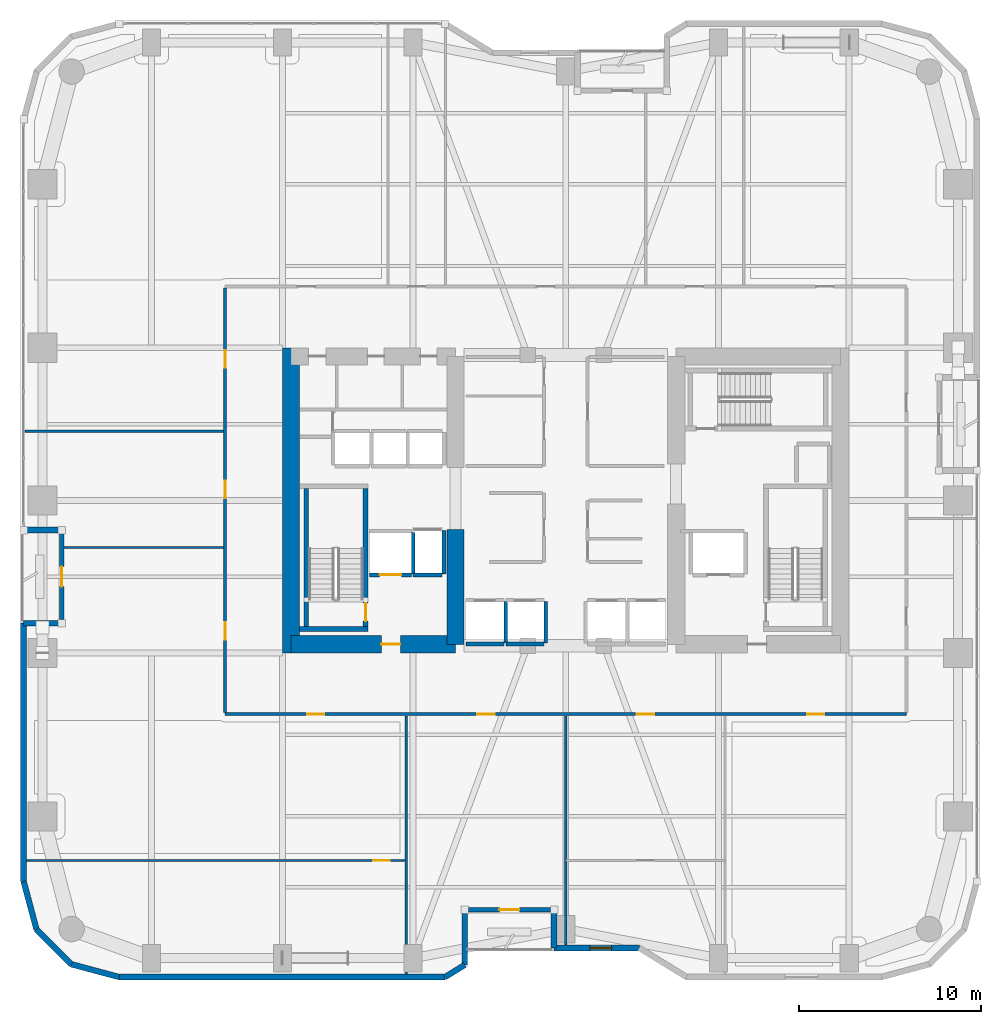
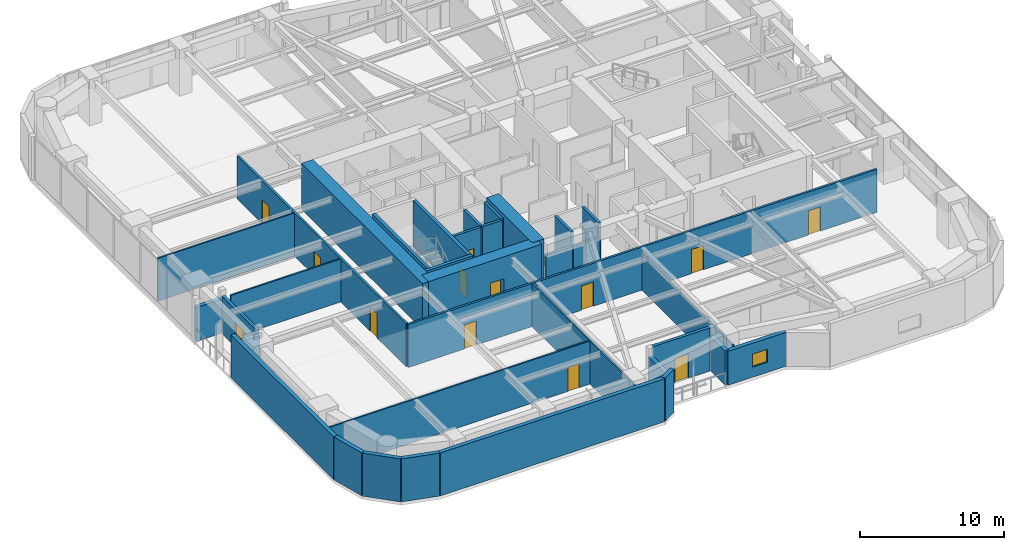
# One storey, part 18 of 24: 34 walls, 13 doors, 1 window, 14 openings.
"""IFC4 building model written with IfcOpenShell, lengths in metres."""

import ifcopenshell
import ifcopenshell.guid

model = None  # the IFC model being written
_history = None  # IfcOwnerHistory: only IFC2X3 demands one
_inside = {}  # id of a spatial element -> (the spatial element, [elements in it])
_under = {}  # id of a project, library or spatial element -> (it, [spatial elements below it])
_declared = {}  # id of a project -> (the project, [libraries it declares])
_typed = {}  # id of a type object -> (the type object, [elements of that type])
_made_of = {}  # id of a material, layer set ... -> (it, [elements and type objects made of it])


def new_model(schema):
    """Start an empty IFC model of exactly this schema.

    Asked for "IFC4X3", IfcOpenShell would pick the latest addendum, in which some entities
    have other attributes; the version numbers below select the first issue.
    IFC2X3 requires an IfcOwnerHistory on every rooted entity: one is made here for all.
    """
    global model, _history
    if schema == "IFC4X3":
        model = ifcopenshell.file(schema_version=(4, 3, 0, 0))
    else:
        model = ifcopenshell.file(schema=schema)
    _inside.clear()
    _under.clear()
    _declared.clear()
    _typed.clear()
    _made_of.clear()
    _history = None
    if model.schema == "IFC2X3":
        org = make("IfcOrganization", Name="unknown")
        user = make(
            "IfcPersonAndOrganization",
            ThePerson=make("IfcPerson", FamilyName="unknown"),
            TheOrganization=org,
        )
        app = make(
            "IfcApplication",
            ApplicationDeveloper=org,
            Version="unknown",
            ApplicationFullName="unknown",
            ApplicationIdentifier="unknown",
        )
        _history = make(
            "IfcOwnerHistory",
            OwningUser=user,
            OwningApplication=app,
            ChangeAction="ADDED",
            CreationDate=0,
        )
    return model


def make(cls, **values):
    """One entity of the class cls with the attributes given. An attribute that is None is left unset."""
    return model.create_entity(
        cls, **{name: value for name, value in values.items() if value is not None}
    )


def rooted(cls, **values):
    """An entity with a GlobalId (a new one), such as an element, a storey or a relation."""
    return make(cls, GlobalId=ifcopenshell.guid.new(), OwnerHistory=_history, **values)


def si_unit(unit_type, name, prefix=None):
    """IfcSIUnit, for example si_unit("LENGTHUNIT", "METRE", prefix="MILLI")."""
    return make("IfcSIUnit", UnitType=unit_type, Prefix=prefix, Name=name)


def assignment(units):
    """IfcUnitAssignment: the units of a project."""
    return None if units is None else make("IfcUnitAssignment", Units=units)


def point(xyz):
    """IfcCartesianPoint."""
    return None if xyz is None else make("IfcCartesianPoint", Coordinates=xyz)


def direction(xyz):
    """IfcDirection."""
    return None if xyz is None else make("IfcDirection", DirectionRatios=xyz)


def frame(location, z_axis=None, x_axis=None):
    """IfcAxis2Placement3D, a coordinate frame: its origin and axes. An axis left out is left unset."""
    return make(
        "IfcAxis2Placement3D",
        Location=point(location),
        Axis=direction(z_axis),
        RefDirection=direction(x_axis),
    )


def frame_2d(location, x_axis=None):
    """IfcAxis2Placement2D, a coordinate frame in the plane: its origin and x axis."""
    return make(
        "IfcAxis2Placement2D", Location=point(location), RefDirection=direction(x_axis)
    )


def origin():
    """The frame at (0, 0, 0) with its axes left unset."""
    return frame((0.0, 0.0, 0.0))


def place(relative_to, where):
    """IfcLocalPlacement: puts the frame where relative to a parent placement (None: the world)."""
    return make(
        "IfcLocalPlacement", PlacementRelTo=relative_to, RelativePlacement=where
    )


def context(
    kind, dimensions, precision=None, world=None, true_north=None, identifier=None
):
    """IfcGeometricRepresentationContext, for example the 3D "Model" context."""
    return make(
        "IfcGeometricRepresentationContext",
        ContextIdentifier=identifier,
        ContextType=kind,
        CoordinateSpaceDimension=dimensions,
        Precision=precision,
        WorldCoordinateSystem=world,
        TrueNorth=true_north,
    )


def subcontext(parent, identifier, kind, view, scale=None):
    """IfcGeometricRepresentationSubContext, for example "Body" below "Model"."""
    return make(
        "IfcGeometricRepresentationSubContext",
        ContextIdentifier=identifier,
        ContextType=kind,
        ParentContext=parent,
        TargetScale=scale,
        TargetView=view,
    )


def project(units=None, contexts=None):
    """IfcProject with its units and contexts."""
    return rooted(
        "IfcProject",
        Name="project",
        RepresentationContexts=contexts,
        UnitsInContext=assignment(units),
    )


def spatial(cls, under=None, at=None, **own):
    """A site, building, storey or space (cls), placed at a placement, below another one or the project."""
    s = rooted(cls, ObjectPlacement=at, **own)
    if under is not None:
        _under.setdefault(under.id(), (under, []))[1].append(s)
    return s


def profile(cls, at=None, kind="AREA", **sizes):
    """A parametric profile (cls). Its sizes go by their IFC names, for example OverallWidth=200.0."""
    return make(cls, ProfileType=kind, Position=at, **sizes)


def rectangle(**sizes):
    """IfcRectangleProfileDef."""
    return profile("IfcRectangleProfileDef", **sizes)


def extrude(swept, where, along, depth):
    """IfcExtrudedAreaSolid: the profile swept, set in the frame where, extruded along a direction by depth."""
    return make(
        "IfcExtrudedAreaSolid",
        SweptArea=swept,
        Position=where,
        ExtrudedDirection=direction(along),
        Depth=depth,
    )


def shape(context_of_items, identifier, shape_type, items):
    """IfcShapeRepresentation: the items that make up one representation, for example the "Body"."""
    return make(
        "IfcShapeRepresentation",
        ContextOfItems=context_of_items,
        RepresentationIdentifier=identifier,
        RepresentationType=shape_type,
        Items=items,
    )


def material(Name=None, Category=None):
    """IfcMaterial."""
    return make("IfcMaterial", Name=Name, Category=Category)


def layer(
    of_material, thickness, ventilated=None, Name=None, Category=None, Priority=None
):
    """IfcMaterialLayer: one layer of a wall or slab, of a material (None: an air gap)."""
    return make(
        "IfcMaterialLayer",
        Material=of_material,
        LayerThickness=thickness,
        IsVentilated=ventilated,
        Name=Name,
        Category=Category,
        Priority=Priority,
    )


def layer_set(layers, Name=None):
    """IfcMaterialLayerSet."""
    return make("IfcMaterialLayerSet", MaterialLayers=layers, LayerSetName=Name)


def made_of(thing, what):
    """Note that an element or type object is made of a material, layer set ...; save() writes the relation."""
    if what is not None:
        _made_of.setdefault(what.id(), (what, []))[1].append(thing)
    return thing


def type_object(cls, material=None, **own):
    """A type object (cls), such as IfcWallType, which elements share."""
    return made_of(rooted(cls, **own), material)


def element(
    cls,
    number,
    at=None,
    inside=None,
    cuts=None,
    type_object=None,
    material=None,
    context=None,
    identifier="Body",
    shape_type=None,
    held_by="IfcProductDefinitionShape",
    body=None,
    shapes=None,
    **own,
):
    """One element of the class cls, such as IfcWall. Its Tag is "e" and its number.

    at: its placement. inside: the storey or other place that contains it. cuts: it is an
    opening in that element (IfcRelVoidsElement). A single representation is given by context,
    identifier, shape_type and body (its items); several are given by shapes. held_by: the class
    of the entity that holds the representations. save() writes the other relations.
    """
    e = rooted(cls, Tag="e%d" % number, ObjectPlacement=at, **own)
    if body is not None:
        shapes = [shape(context, identifier, shape_type, body)]
    if shapes is not None:
        e.Representation = make(held_by, Representations=shapes)
    if inside is not None:
        _inside.setdefault(inside.id(), (inside, []))[1].append(e)
    if cuts is not None:
        rooted(
            "IfcRelVoidsElement", RelatingBuildingElement=cuts, RelatedOpeningElement=e
        )
    if type_object is not None:
        _typed.setdefault(type_object.id(), (type_object, []))[1].append(e)
    return made_of(e, material)


def fill(opening, filler):
    """IfcRelFillsElement: the door or window that sits in an opening."""
    return rooted(
        "IfcRelFillsElement",
        RelatingOpeningElement=opening,
        RelatedBuildingElement=filler,
    )


def aggregate(whole, parts):
    """IfcRelAggregates: a whole, such as a stair, and the parts it consists of."""
    return rooted("IfcRelAggregates", RelatingObject=whole, RelatedObjects=parts)


def save(model, path):
    """Write the relations noted so far, then the file.

    IfcRelAggregates (storeys below a building ...), IfcRelContainedInSpatialStructure (elements
    in a storey), IfcRelDefinesByType, IfcRelAssociatesMaterial and IfcRelDeclares: one each for
    every whole, place, type object, material and project.
    """
    for whole, parts in _under.values():
        aggregate(whole, parts)
    for where, things in _inside.values():
        rooted(
            "IfcRelContainedInSpatialStructure",
            RelatedElements=things,
            RelatingStructure=where,
        )
    for kind, things in _typed.values():
        rooted("IfcRelDefinesByType", RelatedObjects=things, RelatingType=kind)
    for what, things in _made_of.values():
        rooted("IfcRelAssociatesMaterial", RelatedObjects=things, RelatingMaterial=what)
    for by, libraries in _declared.values():
        rooted("IfcRelDeclares", RelatingContext=by, RelatedDefinitions=libraries)
    model.write(path)


model = new_model("IFC4")

# Units and contexts
model_context = context("Model", 3, precision=1e-05, world=origin(), true_north=direction((0.0, 1.0)))
body_context = subcontext(model_context, "Body", "Model", "MODEL_VIEW")
ifc_project = project(units=[si_unit("LENGTHUNIT", "METRE"), si_unit("AREAUNIT", "SQUARE_METRE"), si_unit("VOLUMEUNIT", "CUBIC_METRE"), si_unit("PLANEANGLEUNIT", "RADIAN"), si_unit("MASSUNIT", "GRAM", prefix="KILO")], contexts=[model_context])

# Site, building, storey
site_placement = place(None, origin())
site = spatial("IfcSite", under=ifc_project, at=site_placement, CompositionType="ELEMENT")
building_placement = place(site_placement, origin())
building = spatial("IfcBuilding", under=site, at=building_placement, Name="Kiyonajd Concourse Tower", CompositionType="ELEMENT")
storey_placement = place(building_placement, frame((0.0, 0.0, 85.800048828125)))
storey = spatial("IfcBuildingStorey", under=building, at=storey_placement, Name="L22", CompositionType="ELEMENT", Elevation=85.800048828125)

# Walls
ifc_material_1 = material(Name="Concrete C80/95", Category="concrete")
ifc_layer_1 = layer(ifc_material_1, 0.949951171875)
ifc_layer_set_1 = layer_set([ifc_layer_1], Name="Concrete C80/95")
wall_type_1 = type_object("IfcWallType", Name="WL-CORE-950", PredefinedType="SHEAR", material=ifc_layer_set_1)
wall_1_placement = place(storey_placement, frame((32.875, 27.60009765625, 0.0), z_axis=(0.0, 0.0, 1.0), x_axis=(0.0, 1.0, 0.0)))
element("IfcWall", 1, at=wall_1_placement, inside=storey, type_object=wall_type_1, Name="L22 West Core Outer Shear Wall", PredefinedType="SHEAR", context=body_context, shape_type="SweptSolid", body=[
    extrude(rectangle(XDim=16.7998046875, YDim=0.949951171875, at=frame_2d((8.39990234375, 0.0))), origin(), (0.0, 0.0, 1.0), 3.89990234375),
])
wall_2_placement = place(storey_placement, frame((41.925048828125, 28.074951171875, 0.0), z_axis=(0.0, 0.0, 1.0), x_axis=(0.0, 1.0, 0.0)))
element("IfcWall", 2, at=wall_2_placement, inside=storey, type_object=wall_type_1, Name="L22 West Core Inner South Shear Wall", PredefinedType="SHEAR", context=body_context, shape_type="SweptSolid", body=[
    extrude(rectangle(XDim=6.324951171875, YDim=0.949951171875, at=frame_2d((3.16259765625, 0.0))), origin(), (0.0, 0.0, 1.0), 3.89990234375),
])

# Wall, opening, door
wall_3_placement = place(storey_placement, frame((32.875, 28.074951171875, 0.0), z_axis=(0.0, 0.0, 1.0), x_axis=(1.0, 0.0, 0.0)))
wall_3 = element("IfcWall", 3, at=wall_3_placement, inside=storey, type_object=wall_type_1, Name="L22 West Core South Shear Wall", PredefinedType="SHEAR", context=body_context, shape_type="SweptSolid", body=[
    extrude(rectangle(XDim=9.050048828125, YDim=0.949951171875, at=frame_2d((4.52490234375, 0.0))), origin(), (0.0, 0.0, 1.0), 3.89990234375),
])
opening_1_placement = place(wall_3_placement, frame((4.97509765625, 0.0, 0.0)))
opening_1 = element("IfcOpeningElement", 4, at=opening_1_placement, cuts=wall_3, Name="Opening DF5", PredefinedType="OPENING", context=body_context, shape_type="SweptSolid", body=[
    extrude(rectangle(XDim=1.050048828125, YDim=2.0400390625, at=frame_2d((0.52490234375, 1.02001953125))), frame((0.0, 0.48486328125, 0.0), z_axis=(0.0, -1.0, 0.0), x_axis=(1.0, 0.0, 0.0)), (0.0, 0.0, 1.0), 0.969970703125),
])
ifc_material_2 = material(Name="Brushed Stainless Steel Cab Assembly", Category="steel")
door_type_1 = type_object("IfcDoorType", Name="DR-FD45-1050", OperationType="NOTDEFINED", PredefinedType="DOOR", material=ifc_material_2)
door_1_placement = place(opening_1_placement, origin())
door_1 = element("IfcDoor", 5, at=door_1_placement, inside=storey, type_object=door_type_1, Name="L22 Firefighting Lift Lobby W Smoke Door", OperationType="SINGLE_SWING_LEFT", OverallHeight=2.0400390625, OverallWidth=1.050048828125, PredefinedType="DOOR", context=body_context, shape_type="SweptSolid", body=[
    extrude(rectangle(XDim=1.050048828125, YDim=2.0400390625, at=frame_2d((0.52490234375, 1.02001953125))), frame((0.0, 0.02490234375, 0.0), z_axis=(0.0, -1.0, 0.0), x_axis=(1.0, 0.0, 0.0)), (0.0, 0.0, 1.0), 0.050048828125),
])
fill(opening_1, door_1)

# Walls
ifc_material_3 = material(Name="Precast concrete C50/60", Category="concrete")
ifc_layer_2 = layer(ifc_material_3, 0.320068359375)
ifc_layer_set_2 = layer_set([ifc_layer_2], Name="Precast concrete C50/60")
wall_type_2 = type_object("IfcWallType", Name="WL-EXT-320", PredefinedType="SOLIDWALL", material=ifc_layer_set_2)
wall_4_placement = place(storey_placement, frame((18.866455078125, 12.3828125, 0.0), z_axis=(0.0, 0.0, 1.0), x_axis=(-0.25869736047, 0.965958423373, 0.0)))
element("IfcWall", 6, at=wall_4_placement, inside=storey, type_object=wall_type_2, Name="L22 Exterior Concrete Frame Wall 00", PredefinedType="SOLIDWALL", context=body_context, shape_type="SweptSolid", body=[
    extrude(rectangle(XDim=2.731201171875, YDim=0.320068359375, at=frame_2d((1.36572265625, 0.0))), origin(), (0.0, 0.0, 1.0), 3.639892578125),
])
wall_5_placement = place(storey_placement, frame((18.159912109375, 15.02099609375, 0.0), z_axis=(0.0, 0.0, 1.0), x_axis=(0.0, 1.0, 0.0)))
element("IfcWall", 7, at=wall_5_placement, inside=storey, type_object=wall_type_2, Name="L22 Exterior Concrete Frame Wall 01", PredefinedType="SOLIDWALL", context=body_context, shape_type="SweptSolid", body=[
    extrude(rectangle(XDim=14.218994140625, YDim=0.320068359375, at=frame_2d((7.109375, 0.0))), origin(), (0.0, 0.0, 1.0), 3.639892578125),
])
for number, where, z_axis, x_axis, name in (
    (8, (18.159912109375, 29.239990234375, 0.0), (0.0, 0.0, 1.0), (1.0, 0.0, 0.0), "L22 Exterior Concrete Frame Wall 02"),
    (9, (20.260009765625, 34.360107421875, 0.0), (0.0, 0.0, 1.0), (-1.0, 0.0, 0.0), "L22 Exterior Concrete Frame Wall 04"),
):
    element("IfcWall", number, at=place(storey_placement, frame(where, z_axis=z_axis, x_axis=x_axis)), inside=storey, type_object=wall_type_2, Name=name, PredefinedType="SOLIDWALL", context=body_context, shape_type="SweptSolid", body=[
        extrude(rectangle(XDim=2.10009765625, YDim=0.320068359375, at=frame_2d((1.050048828125, 0.0))), origin(), (0.0, 0.0, 1.0), 2.875),
    ])

# Wall, opening, window
wall_6_placement = place(storey_placement, frame((52.04541015625, 11.360107421875, 0.0), z_axis=(0.0, 0.0, 1.0), x_axis=(-1.0, 0.0, 0.0)))
wall_6 = element("IfcWall", 10, at=wall_6_placement, inside=storey, type_object=wall_type_2, Name="L22 Exterior Concrete Frame Wall 30", PredefinedType="SOLIDWALL", context=body_context, shape_type="SweptSolid", body=[
    extrude(rectangle(XDim=4.685302734375, YDim=0.320068359375, at=frame_2d((2.3427734375, 0.0))), origin(), (0.0, 0.0, 1.0), 2.875),
])
opening_2_placement = place(wall_6_placement, frame((1.51806640625, 0.0, 0.85009765625)))
opening_2 = element("IfcOpeningElement", 11, at=opening_2_placement, cuts=wall_6, Name="Opening WN3", PredefinedType="OPENING", context=body_context, shape_type="SweptSolid", body=[
    extrude(rectangle(XDim=1.199951171875, YDim=1.10009765625, at=frame_2d((0.60009765625, 0.550048828125))), frame((0.0, 0.169921875, 0.0), z_axis=(0.0, -1.0, 0.0), x_axis=(1.0, 0.0, 0.0)), (0.0, 0.0, 1.0), 0.340087890625),
])
ifc_material_4 = material(Name="Double Low-E Insulated Glass", Category="glass")
window_type = type_object("IfcWindowType", Name="WN-VIS-1200x1100", PartitioningType="SINGLE_PANEL", PredefinedType="WINDOW", material=ifc_material_4)
window_placement = place(opening_2_placement, origin())
window = element("IfcWindow", 12, at=window_placement, inside=storey, type_object=window_type, Name="L22 Modular Facade Vision Window 30", OverallHeight=1.10009765625, OverallWidth=1.199951171875, PartitioningType="SINGLE_PANEL", PredefinedType="WINDOW", context=body_context, shape_type="SweptSolid", body=[
    extrude(rectangle(XDim=1.199951171875, YDim=1.10009765625, at=frame_2d((0.60009765625, 0.550048828125))), frame((0.0, 0.030029296875, 0.0), z_axis=(0.0, -1.0, 0.0), x_axis=(1.0, 0.0, 0.0)), (0.0, 0.0, 1.0), 0.06005859375),
])
fill(opening_2, window)

# Walls
wall_7_placement = place(storey_placement, frame((47.360107421875, 11.360107421875, 0.0), z_axis=(0.0, 0.0, 1.0), x_axis=(0.0, 1.0, 0.0)))
element("IfcWall", 13, at=wall_7_placement, inside=storey, type_object=wall_type_2, Name="L22 Exterior Concrete Frame Wall 31", PredefinedType="SOLIDWALL", context=body_context, shape_type="SweptSolid", body=[
    extrude(rectangle(XDim=2.099853515625, YDim=0.320068359375, at=frame_2d((1.0498046875, 0.0))), origin(), (0.0, 0.0, 1.0), 2.875),
])
wall_8_placement = place(storey_placement, frame((42.43994140625, 13.4599609375, 0.0), z_axis=(0.0, 0.0, 1.0), x_axis=(0.0, -1.0, 0.0)))
element("IfcWall", 14, at=wall_8_placement, inside=storey, type_object=wall_type_2, Name="L22 Exterior Concrete Frame Wall 33", PredefinedType="SOLIDWALL", context=body_context, shape_type="SweptSolid", body=[
    extrude(rectangle(XDim=3.032470703125, YDim=0.320068359375, at=frame_2d((1.51611328125, 0.0))), origin(), (0.0, 0.0, 1.0), 2.875),
])
wall_9_placement = place(storey_placement, frame((42.43994140625, 10.427490234375, 0.0), z_axis=(0.0, 0.0, 1.0), x_axis=(-0.851776724646, -0.523904964045, 0.0)))
element("IfcWall", 15, at=wall_9_placement, inside=storey, type_object=wall_type_2, Name="L22 Exterior Concrete Frame Wall 34", PredefinedType="SOLIDWALL", context=body_context, shape_type="SweptSolid", body=[
    extrude(rectangle(XDim=1.274169921875, YDim=0.320068359375, at=frame_2d((0.63720703125, 0.0))), origin(), (0.0, 0.0, 1.0), 3.639892578125),
])
wall_10_placement = place(storey_placement, frame((41.354736328125, 9.760009765625, 0.0), z_axis=(0.0, 0.0, 1.0), x_axis=(-1.0, 0.0, 0.0)))
element("IfcWall", 16, at=wall_10_placement, inside=storey, type_object=wall_type_2, Name="L22 Exterior Concrete Frame Wall 35", PredefinedType="SOLIDWALL", context=body_context, shape_type="SweptSolid", body=[
    extrude(rectangle(XDim=17.93359375, YDim=0.320068359375, at=frame_2d((8.966796875, 0.0))), origin(), (0.0, 0.0, 1.0), 3.639892578125),
])
wall_11_placement = place(storey_placement, frame((23.421142578125, 9.760009765625, 0.0), z_axis=(0.0, 0.0, 1.0), x_axis=(-0.965964405026, 0.25867502435, 0.0)))
element("IfcWall", 17, at=wall_11_placement, inside=storey, type_object=wall_type_2, Name="L22 Exterior Concrete Frame Wall 36", PredefinedType="SOLIDWALL", context=body_context, shape_type="SweptSolid", body=[
    extrude(rectangle(XDim=2.7314453125, YDim=0.320068359375, at=frame_2d((1.36572265625, 0.0))), origin(), (0.0, 0.0, 1.0), 3.639892578125),
])
wall_12_placement = place(storey_placement, frame((20.78271484375, 10.466552734375, 0.0), z_axis=(0.0, 0.0, 1.0), x_axis=(-0.707106781187, 0.707106781187, 0.0)))
element("IfcWall", 18, at=wall_12_placement, inside=storey, type_object=wall_type_2, Name="L22 Exterior Concrete Frame Wall 37", PredefinedType="SOLIDWALL", context=body_context, shape_type="SweptSolid", body=[
    extrude(rectangle(XDim=2.7099609375, YDim=0.320068359375, at=frame_2d((1.35498046875, 0.0))), origin(), (0.0, 0.0, 1.0), 3.639892578125),
])

# Wall, opening, door
ifc_layer_3 = layer(ifc_material_3, 0.239990234375)
ifc_layer_set_3 = layer_set([ifc_layer_3], Name="Precast concrete C50/60")
wall_type_3 = type_object("IfcWallType", Name="WL-LOG-240", PredefinedType="SOLIDWALL", material=ifc_layer_set_3)
wall_13_placement = place(storey_placement, frame((20.260009765625, 29.43505859375, 0.0), z_axis=(0.0, 0.0, 1.0), x_axis=(0.0, 1.0, 0.0)))
wall_13 = element("IfcWall", 19, at=wall_13_placement, inside=storey, type_object=wall_type_3, Name="L22 Recessed Loggia Thermal Wall LOG-W", PredefinedType="SOLIDWALL", context=body_context, shape_type="SweptSolid", body=[
    extrude(rectangle(XDim=4.72998046875, YDim=0.239990234375, at=frame_2d((2.364990234375, 0.0))), origin(), (0.0, 0.0, 1.0), 3.161865234375),
])
opening_3_placement = place(wall_13_placement, frame((1.81494140625, 0.0, 0.0)))
opening_3 = element("IfcOpeningElement", 20, at=opening_3_placement, cuts=wall_13, Name="Opening DL2", PredefinedType="OPENING", context=body_context, shape_type="SweptSolid", body=[
    extrude(rectangle(XDim=1.10009765625, YDim=2.0400390625, at=frame_2d((0.550048828125, 1.02001953125))), frame((0.0, 0.1298828125, 0.0), z_axis=(0.0, -1.0, 0.0), x_axis=(1.0, 0.0, 0.0)), (0.0, 0.0, 1.0), 0.260009765625),
])
ifc_material_5 = material(Name="Thermally Broken Anodised Aluminium", Category="aluminium")
door_type_2 = type_object("IfcDoorType", Name="DR-LOG-1100", OperationType="NOTDEFINED", PredefinedType="DOOR", material=ifc_material_5)
door_2_placement = place(opening_3_placement, origin())
door_2 = element("IfcDoor", 21, at=door_2_placement, inside=storey, type_object=door_type_2, Name="L22 Engawa Loggia Access Door LOG-W", OperationType="SINGLE_SWING_LEFT", OverallHeight=2.0400390625, OverallWidth=1.10009765625, PredefinedType="DOOR", context=body_context, shape_type="SweptSolid", body=[
    extrude(rectangle(XDim=1.10009765625, YDim=2.0400390625, at=frame_2d((0.550048828125, 1.02001953125))), frame((0.0, 0.02490234375, 0.0), z_axis=(0.0, -1.0, 0.0), x_axis=(1.0, 0.0, 0.0)), (0.0, 0.0, 1.0), 0.050048828125),
])
fill(opening_3, door_2)

wall_14_placement = place(storey_placement, frame((47.1650390625, 13.4599609375, 0.0), z_axis=(0.0, 0.0, 1.0), x_axis=(-1.0, 0.0, 0.0)))
wall_14 = element("IfcWall", 22, at=wall_14_placement, inside=storey, type_object=wall_type_3, Name="L22 Recessed Loggia Thermal Wall LOG-S", PredefinedType="SOLIDWALL", context=body_context, shape_type="SweptSolid", body=[
    extrude(rectangle(XDim=4.530029296875, YDim=0.239990234375, at=frame_2d((2.26513671875, 0.0))), origin(), (0.0, 0.0, 1.0), 3.639892578125),
])
opening_4_placement = place(wall_14_placement, frame((1.715087890625, 0.0, 0.0)))
opening_4 = element("IfcOpeningElement", 23, at=opening_4_placement, cuts=wall_14, Name="Opening DL2", PredefinedType="OPENING", context=body_context, shape_type="SweptSolid", body=[
    extrude(rectangle(XDim=1.10009765625, YDim=2.0400390625, at=frame_2d((0.550048828125, 1.02001953125))), frame((0.0, 0.1298828125, 0.0), z_axis=(0.0, -1.0, 0.0), x_axis=(1.0, 0.0, 0.0)), (0.0, 0.0, 1.0), 0.260009765625),
])
door_3_placement = place(opening_4_placement, origin())
door_3 = element("IfcDoor", 24, at=door_3_placement, inside=storey, type_object=door_type_2, Name="L22 Engawa Loggia Access Door LOG-S", OperationType="SINGLE_SWING_RIGHT", OverallHeight=2.0400390625, OverallWidth=1.10009765625, PredefinedType="DOOR", context=body_context, shape_type="SweptSolid", body=[
    extrude(rectangle(XDim=1.10009765625, YDim=2.0400390625, at=frame_2d((0.550048828125, 1.02001953125))), frame((0.0, 0.02490234375, 0.0), z_axis=(0.0, -1.0, 0.0), x_axis=(1.0, 0.0, 0.0)), (0.0, 0.0, 1.0), 0.050048828125),
])
fill(opening_4, door_3)

ifc_material_6 = material(Name="Gypsum Board on Cold-Formed Steel Stud", Category="steel")
ifc_layer_4 = layer(ifc_material_6, 0.125)
ifc_layer_set_4 = layer_set([ifc_layer_4], Name="Gypsum Board on Cold-Formed Steel Stud")
wall_type_4 = type_object("IfcWallType", Name="WL-PART-125", PredefinedType="PARTITIONING", material=ifc_layer_set_4)
wall_15_placement = place(storey_placement, frame((18.31494140625, 16.179931640625, 0.0), z_axis=(0.0, 0.0, 1.0), x_axis=(1.0, 0.0, 0.0)))
wall_15 = element("IfcWall", 25, at=wall_15_placement, inside=storey, type_object=wall_type_4, Name="L22 Interior Partition Wall", PredefinedType="PARTITIONING", context=body_context, shape_type="SweptSolid", body=[
    extrude(rectangle(XDim=20.905029296875, YDim=0.125, at=frame_2d((10.45263671875, 0.0))), origin(), (0.0, 0.0, 1.0), 3.639892578125),
])
opening_5_placement = place(wall_15_placement, frame((19.0849609375, 0.0, 0.0)))
opening_5 = element("IfcOpeningElement", 26, at=opening_5_placement, cuts=wall_15, Name="Opening DI2", PredefinedType="OPENING", context=body_context, shape_type="SweptSolid", body=[
    extrude(rectangle(XDim=0.89990234375, YDim=2.02001953125, at=frame_2d((0.449951171875, 1.010009765625))), frame((0.0, 0.072509765625, 0.0), z_axis=(0.0, -1.0, 0.0), x_axis=(1.0, 0.0, 0.0)), (0.0, 0.0, 1.0), 0.14501953125),
])
ifc_material_7 = material(Name="Natural Oak Acoustic Timber Veneer", Category="wood")
door_type_3 = type_object("IfcDoorType", Name="DR-INT-900", OperationType="NOTDEFINED", PredefinedType="DOOR", material=ifc_material_7)
door_4_placement = place(opening_5_placement, origin())
door_4 = element("IfcDoor", 27, at=door_4_placement, inside=storey, type_object=door_type_3, Name="L22 Interior Door", OperationType="SINGLE_SWING_RIGHT", OverallHeight=2.02001953125, OverallWidth=0.89990234375, PredefinedType="DOOR", context=body_context, shape_type="SweptSolid", body=[
    extrude(rectangle(XDim=0.89990234375, YDim=2.02001953125, at=frame_2d((0.449951171875, 1.010009765625))), frame((0.0, 0.02490234375, 0.0), z_axis=(0.0, -1.0, 0.0), x_axis=(1.0, 0.0, 0.0)), (0.0, 0.0, 1.0), 0.050048828125),
])
fill(opening_5, door_4)

# Walls
wall_16_placement = place(storey_placement, frame((39.219970703125, 9.9150390625, 0.0), z_axis=(0.0, 0.0, 1.0), x_axis=(0.0, 1.0, 0.0)))
element("IfcWall", 28, at=wall_16_placement, inside=storey, type_object=wall_type_4, Name="L22 Interior Partition Wall", PredefinedType="PARTITIONING", context=body_context, shape_type="SweptSolid", body=[
    extrude(rectangle(XDim=14.22802734375, YDim=0.125, at=frame_2d((7.114013671875, 0.0))), origin(), (0.0, 0.0, 1.0), 3.639892578125),
])
wall_17_placement = place(storey_placement, frame((48.0, 11.514892578125, 0.0), z_axis=(0.0, 0.0, 1.0), x_axis=(0.0, 1.0, 0.0)))
element("IfcWall", 29, at=wall_17_placement, inside=storey, type_object=wall_type_4, Name="L22 Interior Partition Wall", PredefinedType="PARTITIONING", context=body_context, shape_type="SweptSolid", body=[
    extrude(rectangle(XDim=12.628173828125, YDim=0.125, at=frame_2d((6.31396484375, 0.0))), origin(), (0.0, 0.0, 1.0), 3.0029296875),
])
wall_18_placement = place(storey_placement, frame((20.375, 33.39990234375, 0.0), z_axis=(0.0, 0.0, 1.0), x_axis=(1.0, 0.0, 0.0)))
element("IfcWall", 30, at=wall_18_placement, inside=storey, type_object=wall_type_4, Name="L22 Interior Partition Wall", PredefinedType="PARTITIONING", context=body_context, shape_type="SweptSolid", body=[
    extrude(rectangle(XDim=8.7880859375, YDim=0.125, at=frame_2d((4.39404296875, 0.0))), origin(), (0.0, 0.0, 1.0), 3.639892578125),
])
wall_19_placement = place(storey_placement, frame((18.2451171875, 39.800048828125, 0.0), z_axis=(0.0, 0.0, 1.0), x_axis=(1.0, 0.0, 0.0)))
element("IfcWall", 31, at=wall_19_placement, inside=storey, type_object=wall_type_4, Name="L22 Interior Partition Wall", PredefinedType="PARTITIONING", context=body_context, shape_type="SweptSolid", body=[
    extrude(rectangle(XDim=10.91796875, YDim=0.125, at=frame_2d((5.458984375, 0.0))), origin(), (0.0, 0.0, 1.0), 3.639892578125),
])

# Wall, opening, door
ifc_layer_5 = layer(ifc_material_6, 0.2099609375)
ifc_layer_set_5 = layer_set([ifc_layer_5], Name="Gypsum Board on Cold-Formed Steel Stud")
wall_type_5 = type_object("IfcWallType", Name="WL-SHAFT-210", PredefinedType="PARTITIONING", material=ifc_layer_set_5)
wall_20_placement = place(storey_placement, frame((37.199951171875, 31.89990234375, 0.0), z_axis=(0.0, 0.0, 1.0), x_axis=(1.0, 0.0, 0.0)))
wall_20 = element("IfcWall", 32, at=wall_20_placement, inside=storey, type_object=wall_type_5, Name="L22 Shaft Enclosure Wall", PredefinedType="PARTITIONING", context=body_context, shape_type="SweptSolid", body=[
    extrude(rectangle(XDim=2.300048828125, YDim=0.2099609375, at=frame_2d((1.14990234375, 0.0))), origin(), (0.0, 0.0, 1.0), 3.639892578125),
])
opening_6_placement = place(wall_20_placement, frame((0.550048828125, 0.0, 0.0)))
opening_6 = element("IfcOpeningElement", 33, at=opening_6_placement, cuts=wall_20, Name="Opening LD2", PredefinedType="OPENING", context=body_context, shape_type="SweptSolid", body=[
    extrude(rectangle(XDim=1.199951171875, YDim=2.0400390625, at=frame_2d((0.60009765625, 1.02001953125))), frame((0.0, 0.114990234375, 0.0), z_axis=(0.0, -1.0, 0.0), x_axis=(1.0, 0.0, 0.0)), (0.0, 0.0, 1.0), 0.22998046875),
])
door_type_4 = type_object("IfcDoorType", Name="DR-LD-1200", OperationType="DOUBLE_DOOR_SLIDING", PredefinedType="DOOR", material=ifc_material_2)
door_5_placement = place(opening_6_placement, origin())
door_5 = element("IfcDoor", 34, at=door_5_placement, inside=storey, type_object=door_type_4, Name="L22 Lift FFL1 Sliding Landing Door", OperationType="DOUBLE_DOOR_SLIDING", OverallHeight=2.0400390625, OverallWidth=1.199951171875, PredefinedType="DOOR", context=body_context, shape_type="SweptSolid", body=[
    extrude(rectangle(XDim=1.199951171875, YDim=2.0400390625, at=frame_2d((0.60009765625, 1.02001953125))), frame((0.0, 0.02490234375, 0.0), z_axis=(0.0, -1.0, 0.0), x_axis=(1.0, 0.0, 0.0)), (0.0, 0.0, 1.0), 0.050048828125),
])
fill(opening_6, door_5)

# Walls
wall_21_placement = place(storey_placement, frame((39.60009765625, 31.9599609375, 0.0), z_axis=(0.0, 0.0, 1.0), x_axis=(0.0, 1.0, 0.0)))
element("IfcWall", 35, at=wall_21_placement, inside=storey, type_object=wall_type_5, Name="L22 Shaft Enclosure Wall", PredefinedType="PARTITIONING", context=body_context, shape_type="SweptSolid", body=[
    extrude(rectangle(XDim=2.280029296875, YDim=0.2099609375, at=frame_2d((1.14013671875, 0.0))), origin(), (0.0, 0.0, 1.0), 3.639892578125),
])
wall_22_placement = place(storey_placement, frame((39.60009765625, 31.89990234375, 0.0), z_axis=(0.0, 0.0, 1.0), x_axis=(1.0, 0.0, 0.0)))
element("IfcWall", 36, at=wall_22_placement, inside=storey, type_object=wall_type_5, Name="L22 Shaft Enclosure Wall", PredefinedType="PARTITIONING", context=body_context, shape_type="SweptSolid", body=[
    extrude(rectangle(XDim=1.599853515625, YDim=0.2099609375, at=frame_2d((0.7998046875, 0.0))), origin(), (0.0, 0.0, 1.0), 3.639892578125),
])
wall_23_placement = place(storey_placement, frame((41.300048828125, 31.9599609375, 0.0), z_axis=(0.0, 0.0, 1.0), x_axis=(0.0, 1.0, 0.0)))
element("IfcWall", 37, at=wall_23_placement, inside=storey, type_object=wall_type_5, Name="L22 Shaft Enclosure Wall", PredefinedType="PARTITIONING", context=body_context, shape_type="SweptSolid", body=[
    extrude(rectangle(XDim=2.380126953125, YDim=0.2099609375, at=frame_2d((1.18994140625, 0.0))), origin(), (0.0, 0.0, 1.0), 3.639892578125),
])
wall_24_placement = place(storey_placement, frame((42.5, 28.10009765625, 0.0), z_axis=(0.0, 0.0, 1.0), x_axis=(1.0, 0.0, 0.0)))
element("IfcWall", 38, at=wall_24_placement, inside=storey, type_object=wall_type_5, Name="L22 Shaft Enclosure Wall", PredefinedType="PARTITIONING", context=body_context, shape_type="SweptSolid", body=[
    extrude(rectangle(XDim=2.10009765625, YDim=0.2099609375, at=frame_2d((1.050048828125, 0.0))), origin(), (0.0, 0.0, 1.0), 2.52490234375),
])
wall_25_placement = place(storey_placement, frame((44.699951171875, 28.159912109375, 0.0), z_axis=(0.0, 0.0, 1.0), x_axis=(0.0, 1.0, 0.0)))
element("IfcWall", 39, at=wall_25_placement, inside=storey, type_object=wall_type_5, Name="L22 Shaft Enclosure Wall", PredefinedType="PARTITIONING", context=body_context, shape_type="SweptSolid", body=[
    extrude(rectangle(XDim=2.280029296875, YDim=0.2099609375, at=frame_2d((1.14013671875, 0.0))), origin(), (0.0, 0.0, 1.0), 3.639892578125),
])
wall_26_placement = place(storey_placement, frame((44.699951171875, 28.10009765625, 0.0), z_axis=(0.0, 0.0, 1.0), x_axis=(1.0, 0.0, 0.0)))
element("IfcWall", 40, at=wall_26_placement, inside=storey, type_object=wall_type_5, Name="L22 Shaft Enclosure Wall", PredefinedType="PARTITIONING", context=body_context, shape_type="SweptSolid", body=[
    extrude(rectangle(XDim=2.10009765625, YDim=0.2099609375, at=frame_2d((1.050048828125, 0.0))), origin(), (0.0, 0.0, 1.0), 2.52490234375),
])
wall_27_placement = place(storey_placement, frame((46.89990234375, 28.159912109375, 0.0), z_axis=(0.0, 0.0, 1.0), x_axis=(0.0, 1.0, 0.0)))
element("IfcWall", 41, at=wall_27_placement, inside=storey, type_object=wall_type_5, Name="L22 Shaft Enclosure Wall", PredefinedType="PARTITIONING", context=body_context, shape_type="SweptSolid", body=[
    extrude(rectangle(XDim=2.280029296875, YDim=0.2099609375, at=frame_2d((1.14013671875, 0.0))), origin(), (0.0, 0.0, 1.0), 3.639892578125),
])

# Wall, openings, doors
ifc_layer_6 = layer(ifc_material_6, 0.169921875)
ifc_layer_set_6 = layer_set([ifc_layer_6], Name="Gypsum Board on Cold-Formed Steel Stud")
wall_type_6 = type_object("IfcWallType", Name="WL-SMK-170", PredefinedType="PARTITIONING", material=ifc_layer_set_6)
wall_28_placement = place(storey_placement, frame((29.25, 24.22998046875, 0.0), z_axis=(0.0, 0.0, 1.0), x_axis=(1.0, 0.0, 0.0)))
wall_28 = element("IfcWall", 42, at=wall_28_placement, inside=storey, type_object=wall_type_6, Name="L22 Interior Partition Wall", PredefinedType="PARTITIONING", context=body_context, shape_type="SweptSolid", body=[
    extrude(rectangle(XDim=37.5, YDim=0.169921875, at=frame_2d((18.75, 0.0))), origin(), (0.0, 0.0, 1.0), 3.639892578125),
])
opening_7_placement = place(wall_28_placement, frame((4.510009765625, 0.0, 0.0)))
opening_7 = element("IfcOpeningElement", 43, at=opening_7_placement, cuts=wall_28, Name="Opening DI1", PredefinedType="OPENING", context=body_context, shape_type="SweptSolid", body=[
    extrude(rectangle(XDim=0.949951171875, YDim=2.0400390625, at=frame_2d((0.47509765625, 1.02001953125))), frame((0.0, 0.094970703125, 0.0), z_axis=(0.0, -1.0, 0.0), x_axis=(1.0, 0.0, 0.0)), (0.0, 0.0, 1.0), 0.18994140625),
])
opening_8_placement = place(wall_28_placement, frame((13.885009765625, 0.0, 0.0)))
opening_8 = element("IfcOpeningElement", 44, at=opening_8_placement, cuts=wall_28, Name="Opening DI1", PredefinedType="OPENING", context=body_context, shape_type="SweptSolid", body=[
    extrude(rectangle(XDim=0.949951171875, YDim=2.0400390625, at=frame_2d((0.47509765625, 1.02001953125))), frame((0.0, 0.094970703125, 0.0), z_axis=(0.0, -1.0, 0.0), x_axis=(1.0, 0.0, 0.0)), (0.0, 0.0, 1.0), 0.18994140625),
])
opening_9_placement = place(wall_28_placement, frame((22.659912109375, 0.0, 0.0)))
opening_9 = element("IfcOpeningElement", 45, at=opening_9_placement, cuts=wall_28, Name="Opening DI1", PredefinedType="OPENING", context=body_context, shape_type="SweptSolid", body=[
    extrude(rectangle(XDim=0.949951171875, YDim=2.0400390625, at=frame_2d((0.47509765625, 1.02001953125))), frame((0.0, 0.094970703125, 0.0), z_axis=(0.0, -1.0, 0.0), x_axis=(1.0, 0.0, 0.0)), (0.0, 0.0, 1.0), 0.18994140625),
])
opening_10_placement = place(wall_28_placement, frame((32.034912109375, 0.0, 0.0)))
opening_10 = element("IfcOpeningElement", 46, at=opening_10_placement, cuts=wall_28, Name="Opening DI1", PredefinedType="OPENING", context=body_context, shape_type="SweptSolid", body=[
    extrude(rectangle(XDim=0.949951171875, YDim=2.0400390625, at=frame_2d((0.47509765625, 1.02001953125))), frame((0.0, 0.094970703125, 0.0), z_axis=(0.0, -1.0, 0.0), x_axis=(1.0, 0.0, 0.0)), (0.0, 0.0, 1.0), 0.18994140625),
])
door_type_5 = type_object("IfcDoorType", Name="DR-INT-950", OperationType="NOTDEFINED", PredefinedType="DOOR", material=ifc_material_7)
door_6_placement = place(opening_7_placement, origin())
door_6 = element("IfcDoor", 47, at=door_6_placement, inside=storey, type_object=door_type_5, Name="L22 Interior Door", OperationType="SINGLE_SWING_LEFT", OverallHeight=2.0400390625, OverallWidth=0.949951171875, PredefinedType="DOOR", context=body_context, shape_type="SweptSolid", body=[
    extrude(rectangle(XDim=0.949951171875, YDim=2.0400390625, at=frame_2d((0.47509765625, 1.02001953125))), frame((0.0, 0.02490234375, 0.0), z_axis=(0.0, -1.0, 0.0), x_axis=(1.0, 0.0, 0.0)), (0.0, 0.0, 1.0), 0.050048828125),
])
fill(opening_7, door_6)
door_7_placement = place(opening_8_placement, origin())
door_7 = element("IfcDoor", 48, at=door_7_placement, inside=storey, type_object=door_type_5, Name="L22 Interior Door", OperationType="SINGLE_SWING_RIGHT", OverallHeight=2.0400390625, OverallWidth=0.949951171875, PredefinedType="DOOR", context=body_context, shape_type="SweptSolid", body=[
    extrude(rectangle(XDim=0.949951171875, YDim=2.0400390625, at=frame_2d((0.47509765625, 1.02001953125))), frame((0.0, 0.02490234375, 0.0), z_axis=(0.0, -1.0, 0.0), x_axis=(1.0, 0.0, 0.0)), (0.0, 0.0, 1.0), 0.050048828125),
])
fill(opening_8, door_7)
door_8_placement = place(opening_9_placement, origin())
door_8 = element("IfcDoor", 49, at=door_8_placement, inside=storey, type_object=door_type_5, Name="L22 Interior Door", OperationType="SINGLE_SWING_RIGHT", OverallHeight=2.0400390625, OverallWidth=0.949951171875, PredefinedType="DOOR", context=body_context, shape_type="SweptSolid", body=[
    extrude(rectangle(XDim=0.949951171875, YDim=2.0400390625, at=frame_2d((0.47509765625, 1.02001953125))), frame((0.0, 0.02490234375, 0.0), z_axis=(0.0, -1.0, 0.0), x_axis=(1.0, 0.0, 0.0)), (0.0, 0.0, 1.0), 0.050048828125),
])
fill(opening_9, door_8)
door_9_placement = place(opening_10_placement, origin())
door_9 = element("IfcDoor", 50, at=door_9_placement, inside=storey, type_object=door_type_5, Name="L22 Interior Door", OperationType="SINGLE_SWING_LEFT", OverallHeight=2.0400390625, OverallWidth=0.949951171875, PredefinedType="DOOR", context=body_context, shape_type="SweptSolid", body=[
    extrude(rectangle(XDim=0.949951171875, YDim=2.0400390625, at=frame_2d((0.47509765625, 1.02001953125))), frame((0.0, 0.02490234375, 0.0), z_axis=(0.0, -1.0, 0.0), x_axis=(1.0, 0.0, 0.0)), (0.0, 0.0, 1.0), 0.050048828125),
])
fill(opening_10, door_9)

wall_29_placement = place(storey_placement, frame((29.25, 24.31689453125, 0.0), z_axis=(0.0, 0.0, 1.0), x_axis=(0.0, 1.0, 0.0)))
wall_29 = element("IfcWall", 51, at=wall_29_placement, inside=storey, type_object=wall_type_6, Name="L22 Interior Partition Wall", PredefinedType="PARTITIONING", context=body_context, shape_type="SweptSolid", body=[
    extrude(rectangle(XDim=23.3662109375, YDim=0.169921875, at=frame_2d((11.68310546875, 0.0))), origin(), (0.0, 0.0, 1.0), 3.639892578125),
])
opening_11_placement = place(wall_29_placement, frame((4.02294921875, 0.0, 0.0)))
opening_11 = element("IfcOpeningElement", 52, at=opening_11_placement, cuts=wall_29, Name="Opening DI1", PredefinedType="OPENING", context=body_context, shape_type="SweptSolid", body=[
    extrude(rectangle(XDim=0.949951171875, YDim=2.0400390625, at=frame_2d((0.47509765625, 1.02001953125))), frame((0.0, 0.094970703125, 0.0), z_axis=(0.0, -1.0, 0.0), x_axis=(1.0, 0.0, 0.0)), (0.0, 0.0, 1.0), 0.18994140625),
])
opening_12_placement = place(wall_29_placement, frame((11.80810546875, 0.0, 0.0)))
opening_12 = element("IfcOpeningElement", 53, at=opening_12_placement, cuts=wall_29, Name="Opening DI1", PredefinedType="OPENING", context=body_context, shape_type="SweptSolid", body=[
    extrude(rectangle(XDim=0.949951171875, YDim=2.0400390625, at=frame_2d((0.47509765625, 1.02001953125))), frame((0.0, 0.094970703125, 0.0), z_axis=(0.0, -1.0, 0.0), x_axis=(1.0, 0.0, 0.0)), (0.0, 0.0, 1.0), 0.18994140625),
])
opening_13_placement = place(wall_29_placement, frame((18.992919921875, 0.0, 0.0)))
opening_13 = element("IfcOpeningElement", 54, at=opening_13_placement, cuts=wall_29, Name="Opening DI1", PredefinedType="OPENING", context=body_context, shape_type="SweptSolid", body=[
    extrude(rectangle(XDim=0.949951171875, YDim=2.0400390625, at=frame_2d((0.47509765625, 1.02001953125))), frame((0.0, 0.094970703125, 0.0), z_axis=(0.0, -1.0, 0.0), x_axis=(1.0, 0.0, 0.0)), (0.0, 0.0, 1.0), 0.18994140625),
])
door_10_placement = place(opening_11_placement, origin())
door_10 = element("IfcDoor", 55, at=door_10_placement, inside=storey, type_object=door_type_5, Name="L22 Interior Door", OperationType="SINGLE_SWING_LEFT", OverallHeight=2.0400390625, OverallWidth=0.949951171875, PredefinedType="DOOR", context=body_context, shape_type="SweptSolid", body=[
    extrude(rectangle(XDim=0.949951171875, YDim=2.0400390625, at=frame_2d((0.47509765625, 1.02001953125))), frame((0.0, 0.02490234375, 0.0), z_axis=(0.0, -1.0, 0.0), x_axis=(1.0, 0.0, 0.0)), (0.0, 0.0, 1.0), 0.050048828125),
])
fill(opening_11, door_10)
door_11_placement = place(opening_12_placement, origin())
door_11 = element("IfcDoor", 56, at=door_11_placement, inside=storey, type_object=door_type_5, Name="L22 Interior Door", OperationType="SINGLE_SWING_RIGHT", OverallHeight=2.0400390625, OverallWidth=0.949951171875, PredefinedType="DOOR", context=body_context, shape_type="SweptSolid", body=[
    extrude(rectangle(XDim=0.949951171875, YDim=2.0400390625, at=frame_2d((0.47509765625, 1.02001953125))), frame((0.0, 0.02490234375, 0.0), z_axis=(0.0, -1.0, 0.0), x_axis=(1.0, 0.0, 0.0)), (0.0, 0.0, 1.0), 0.050048828125),
])
fill(opening_12, door_11)
door_12_placement = place(opening_13_placement, origin())
door_12 = element("IfcDoor", 57, at=door_12_placement, inside=storey, type_object=door_type_5, Name="L22 Interior Door", OperationType="SINGLE_SWING_LEFT", OverallHeight=2.0400390625, OverallWidth=0.949951171875, PredefinedType="DOOR", context=body_context, shape_type="SweptSolid", body=[
    extrude(rectangle(XDim=0.949951171875, YDim=2.0400390625, at=frame_2d((0.47509765625, 1.02001953125))), frame((0.0, 0.02490234375, 0.0), z_axis=(0.0, -1.0, 0.0), x_axis=(1.0, 0.0, 0.0)), (0.0, 0.0, 1.0), 0.050048828125),
])
fill(opening_13, door_12)

# Walls
ifc_material_8 = material(Name="Concrete C50/60", Category="concrete")
ifc_layer_7 = layer(ifc_material_8, 0.260009765625)
ifc_layer_set_7 = layer_set([ifc_layer_7], Name="Concrete C50/60")
wall_type_7 = type_object("IfcWallType", Name="WL-STAIR-260", PredefinedType="SHEAR", material=ifc_layer_set_7)
wall_30_placement = place(storey_placement, frame((33.35009765625, 28.919921875, 0.0), z_axis=(0.0, 0.0, 1.0), x_axis=(1.0, 0.0, 0.0)))
element("IfcWall", 58, at=wall_30_placement, inside=storey, type_object=wall_type_7, Name="L22 Stair ST1 Structural South Wall", PredefinedType="SHEAR", context=body_context, shape_type="SweptSolid", body=[
    extrude(rectangle(XDim=3.760009765625, YDim=0.260009765625, at=frame_2d((1.8798828125, 0.0))), origin(), (0.0, 0.0, 1.0), 3.89990234375),
])
wall_31_placement = place(storey_placement, frame((33.719970703125, 29.050048828125, 0.0), z_axis=(0.0, 0.0, 1.0), x_axis=(0.0, 1.0, 0.0)))
element("IfcWall", 59, at=wall_31_placement, inside=storey, type_object=wall_type_7, Name="L22 Stair ST1 Structural West Wall", PredefinedType="SHEAR", context=body_context, shape_type="SweptSolid", body=[
    extrude(rectangle(XDim=7.599853515625, YDim=0.260009765625, at=frame_2d((3.7998046875, 0.0))), origin(), (0.0, 0.0, 1.0), 3.89990234375),
])

# Wall, opening, door
wall_32_placement = place(storey_placement, frame((36.97998046875, 29.050048828125, 0.0), z_axis=(0.0, 0.0, 1.0), x_axis=(0.0, 1.0, 0.0)))
wall_32 = element("IfcWall", 60, at=wall_32_placement, inside=storey, type_object=wall_type_7, Name="L22 Stair ST1 Structural East Wall", PredefinedType="SHEAR", context=body_context, shape_type="SweptSolid", body=[
    extrude(rectangle(XDim=7.599853515625, YDim=0.260009765625, at=frame_2d((3.7998046875, 0.0))), origin(), (0.0, 0.0, 1.0), 3.89990234375),
])
opening_14_placement = place(wall_32_placement, frame((0.300048828125, 0.0, 0.0)))
opening_14 = element("IfcOpeningElement", 61, at=opening_14_placement, cuts=wall_32, Name="Opening DF1", PredefinedType="OPENING", context=body_context, shape_type="SweptSolid", body=[
    extrude(rectangle(XDim=1.0, YDim=2.0400390625, at=frame_2d((0.5, 1.02001953125))), frame((0.0, 0.139892578125, 0.0), z_axis=(0.0, -1.0, 0.0), x_axis=(1.0, 0.0, 0.0)), (0.0, 0.0, 1.0), 0.280029296875),
])
door_type_6 = type_object("IfcDoorType", Name="DR-FD90-1000", OperationType="NOTDEFINED", PredefinedType="DOOR", material=ifc_material_2)
door_13_placement = place(opening_14_placement, origin())
door_13 = element("IfcDoor", 62, at=door_13_placement, inside=storey, type_object=door_type_6, Name="L22 Stair ST1 FSAE Door", OperationType="SINGLE_SWING_LEFT", OverallHeight=2.0400390625, OverallWidth=1.0, PredefinedType="DOOR", context=body_context, shape_type="SweptSolid", body=[
    extrude(rectangle(XDim=1.0, YDim=2.0400390625, at=frame_2d((0.5, 1.02001953125))), frame((0.0, 0.02490234375, 0.0), z_axis=(0.0, -1.0, 0.0), x_axis=(1.0, 0.0, 0.0)), (0.0, 0.0, 1.0), 0.050048828125),
])
fill(opening_14, door_13)

save(model, "model.ifc")
